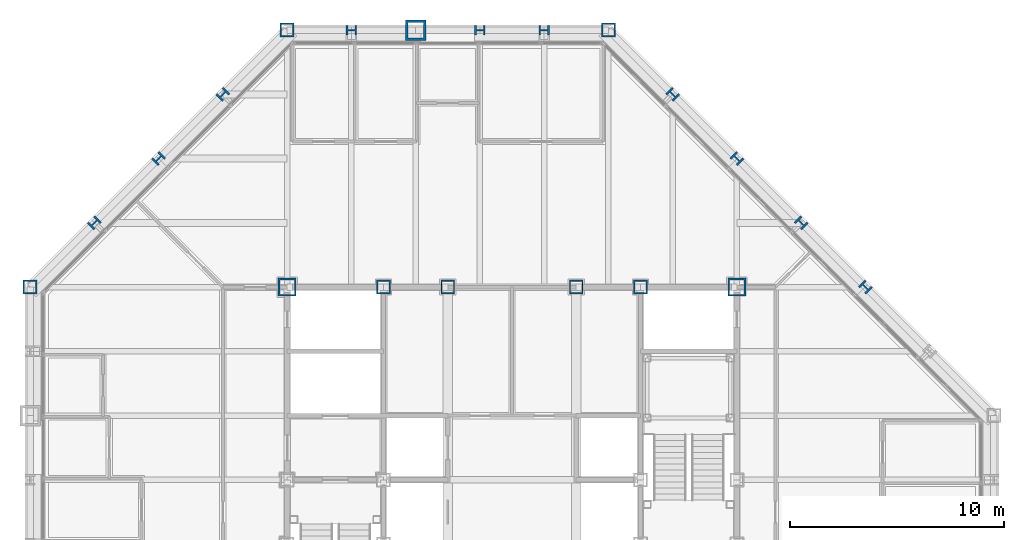
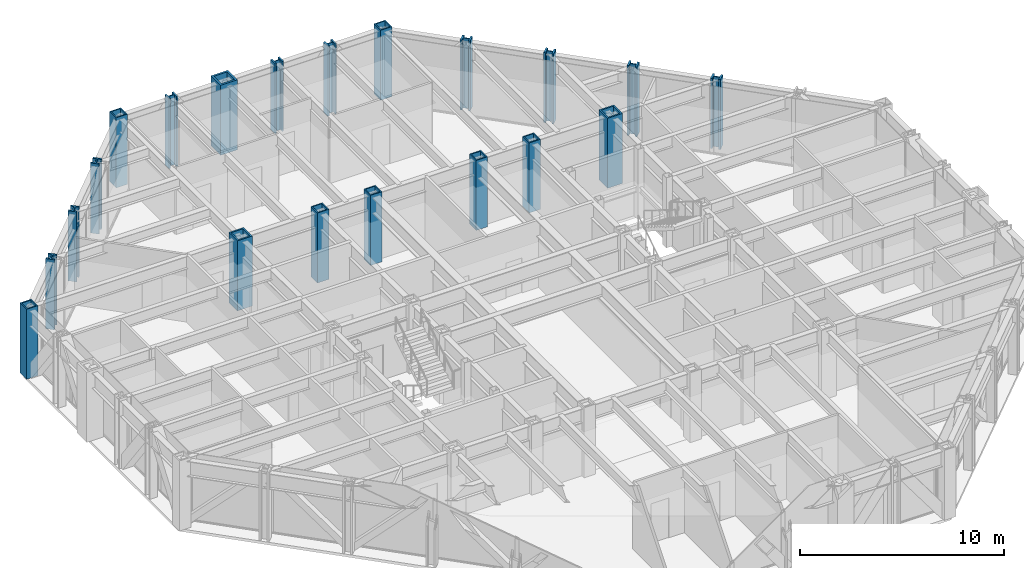
# One storey, part 3 of 15: 20 columns.
"""IFC4 building model written with IfcOpenShell, lengths in metres."""

import ifcopenshell
import ifcopenshell.guid

model = None  # the IFC model being written
_history = None  # IfcOwnerHistory: only IFC2X3 demands one
_inside = {}  # id of a spatial element -> (the spatial element, [elements in it])
_under = {}  # id of a project, library or spatial element -> (it, [spatial elements below it])
_declared = {}  # id of a project -> (the project, [libraries it declares])
_typed = {}  # id of a type object -> (the type object, [elements of that type])
_made_of = {}  # id of a material, layer set ... -> (it, [elements and type objects made of it])


def new_model(schema):
    """Start an empty IFC model of exactly this schema.

    Asked for "IFC4X3", IfcOpenShell would pick the latest addendum, in which some entities
    have other attributes; the version numbers below select the first issue.
    IFC2X3 requires an IfcOwnerHistory on every rooted entity: one is made here for all.
    """
    global model, _history
    if schema == "IFC4X3":
        model = ifcopenshell.file(schema_version=(4, 3, 0, 0))
    else:
        model = ifcopenshell.file(schema=schema)
    _inside.clear()
    _under.clear()
    _declared.clear()
    _typed.clear()
    _made_of.clear()
    _history = None
    if model.schema == "IFC2X3":
        org = make("IfcOrganization", Name="unknown")
        user = make(
            "IfcPersonAndOrganization",
            ThePerson=make("IfcPerson", FamilyName="unknown"),
            TheOrganization=org,
        )
        app = make(
            "IfcApplication",
            ApplicationDeveloper=org,
            Version="unknown",
            ApplicationFullName="unknown",
            ApplicationIdentifier="unknown",
        )
        _history = make(
            "IfcOwnerHistory",
            OwningUser=user,
            OwningApplication=app,
            ChangeAction="ADDED",
            CreationDate=0,
        )
    return model


def make(cls, **values):
    """One entity of the class cls with the attributes given. An attribute that is None is left unset."""
    return model.create_entity(
        cls, **{name: value for name, value in values.items() if value is not None}
    )


def rooted(cls, **values):
    """An entity with a GlobalId (a new one), such as an element, a storey or a relation."""
    return make(cls, GlobalId=ifcopenshell.guid.new(), OwnerHistory=_history, **values)


def si_unit(unit_type, name, prefix=None):
    """IfcSIUnit, for example si_unit("LENGTHUNIT", "METRE", prefix="MILLI")."""
    return make("IfcSIUnit", UnitType=unit_type, Prefix=prefix, Name=name)


def assignment(units):
    """IfcUnitAssignment: the units of a project."""
    return None if units is None else make("IfcUnitAssignment", Units=units)


def point(xyz):
    """IfcCartesianPoint."""
    return None if xyz is None else make("IfcCartesianPoint", Coordinates=xyz)


def direction(xyz):
    """IfcDirection."""
    return None if xyz is None else make("IfcDirection", DirectionRatios=xyz)


def frame(location, z_axis=None, x_axis=None):
    """IfcAxis2Placement3D, a coordinate frame: its origin and axes. An axis left out is left unset."""
    return make(
        "IfcAxis2Placement3D",
        Location=point(location),
        Axis=direction(z_axis),
        RefDirection=direction(x_axis),
    )


def frame_2d(location, x_axis=None):
    """IfcAxis2Placement2D, a coordinate frame in the plane: its origin and x axis."""
    return make(
        "IfcAxis2Placement2D", Location=point(location), RefDirection=direction(x_axis)
    )


def origin():
    """The frame at (0, 0, 0) with its axes left unset."""
    return frame((0.0, 0.0, 0.0))


def origin_2d():
    """The frame at (0, 0) in the plane with its x axis left unset."""
    return frame_2d((0.0, 0.0))


def place(relative_to, where):
    """IfcLocalPlacement: puts the frame where relative to a parent placement (None: the world)."""
    return make(
        "IfcLocalPlacement", PlacementRelTo=relative_to, RelativePlacement=where
    )


def context(
    kind, dimensions, precision=None, world=None, true_north=None, identifier=None
):
    """IfcGeometricRepresentationContext, for example the 3D "Model" context."""
    return make(
        "IfcGeometricRepresentationContext",
        ContextIdentifier=identifier,
        ContextType=kind,
        CoordinateSpaceDimension=dimensions,
        Precision=precision,
        WorldCoordinateSystem=world,
        TrueNorth=true_north,
    )


def subcontext(parent, identifier, kind, view, scale=None):
    """IfcGeometricRepresentationSubContext, for example "Body" below "Model"."""
    return make(
        "IfcGeometricRepresentationSubContext",
        ContextIdentifier=identifier,
        ContextType=kind,
        ParentContext=parent,
        TargetScale=scale,
        TargetView=view,
    )


def project(units=None, contexts=None):
    """IfcProject with its units and contexts."""
    return rooted(
        "IfcProject",
        Name="project",
        RepresentationContexts=contexts,
        UnitsInContext=assignment(units),
    )


def spatial(cls, under=None, at=None, **own):
    """A site, building, storey or space (cls), placed at a placement, below another one or the project."""
    s = rooted(cls, ObjectPlacement=at, **own)
    if under is not None:
        _under.setdefault(under.id(), (under, []))[1].append(s)
    return s


def profile(cls, at=None, kind="AREA", **sizes):
    """A parametric profile (cls). Its sizes go by their IFC names, for example OverallWidth=200.0."""
    return make(cls, ProfileType=kind, Position=at, **sizes)


def hollow_rectangle(**sizes):
    """IfcRectangleHollowProfileDef."""
    return profile("IfcRectangleHollowProfileDef", **sizes)


def i_section(**sizes):
    """IfcIShapeProfileDef."""
    return profile("IfcIShapeProfileDef", **sizes)


def extrude(swept, where, along, depth):
    """IfcExtrudedAreaSolid: the profile swept, set in the frame where, extruded along a direction by depth."""
    return make(
        "IfcExtrudedAreaSolid",
        SweptArea=swept,
        Position=where,
        ExtrudedDirection=direction(along),
        Depth=depth,
    )


def shape(context_of_items, identifier, shape_type, items):
    """IfcShapeRepresentation: the items that make up one representation, for example the "Body"."""
    return make(
        "IfcShapeRepresentation",
        ContextOfItems=context_of_items,
        RepresentationIdentifier=identifier,
        RepresentationType=shape_type,
        Items=items,
    )


def material(Name=None, Category=None):
    """IfcMaterial."""
    return make("IfcMaterial", Name=Name, Category=Category)


def material_profile(
    of_material, cross_section, Name=None, Category=None, Priority=None
):
    """IfcMaterialProfile: a cross section and its material."""
    return make(
        "IfcMaterialProfile",
        Name=Name,
        Material=of_material,
        Profile=cross_section,
        Priority=Priority,
        Category=Category,
    )


def profile_set(profiles, Name=None, composite=None):
    """IfcMaterialProfileSet."""
    return make(
        "IfcMaterialProfileSet",
        Name=Name,
        MaterialProfiles=profiles,
        CompositeProfile=composite,
    )


def made_of(thing, what):
    """Note that an element or type object is made of a material, layer set ...; save() writes the relation."""
    if what is not None:
        _made_of.setdefault(what.id(), (what, []))[1].append(thing)
    return thing


def type_object(cls, material=None, **own):
    """A type object (cls), such as IfcWallType, which elements share."""
    return made_of(rooted(cls, **own), material)


def element(
    cls,
    number,
    at=None,
    inside=None,
    cuts=None,
    type_object=None,
    material=None,
    context=None,
    identifier="Body",
    shape_type=None,
    held_by="IfcProductDefinitionShape",
    body=None,
    shapes=None,
    **own,
):
    """One element of the class cls, such as IfcWall. Its Tag is "e" and its number.

    at: its placement. inside: the storey or other place that contains it. cuts: it is an
    opening in that element (IfcRelVoidsElement). A single representation is given by context,
    identifier, shape_type and body (its items); several are given by shapes. held_by: the class
    of the entity that holds the representations. save() writes the other relations.
    """
    e = rooted(cls, Tag="e%d" % number, ObjectPlacement=at, **own)
    if body is not None:
        shapes = [shape(context, identifier, shape_type, body)]
    if shapes is not None:
        e.Representation = make(held_by, Representations=shapes)
    if inside is not None:
        _inside.setdefault(inside.id(), (inside, []))[1].append(e)
    if cuts is not None:
        rooted(
            "IfcRelVoidsElement", RelatingBuildingElement=cuts, RelatedOpeningElement=e
        )
    if type_object is not None:
        _typed.setdefault(type_object.id(), (type_object, []))[1].append(e)
    return made_of(e, material)


def aggregate(whole, parts):
    """IfcRelAggregates: a whole, such as a stair, and the parts it consists of."""
    return rooted("IfcRelAggregates", RelatingObject=whole, RelatedObjects=parts)


def save(model, path):
    """Write the relations noted so far, then the file.

    IfcRelAggregates (storeys below a building ...), IfcRelContainedInSpatialStructure (elements
    in a storey), IfcRelDefinesByType, IfcRelAssociatesMaterial and IfcRelDeclares: one each for
    every whole, place, type object, material and project.
    """
    for whole, parts in _under.values():
        aggregate(whole, parts)
    for where, things in _inside.values():
        rooted(
            "IfcRelContainedInSpatialStructure",
            RelatedElements=things,
            RelatingStructure=where,
        )
    for kind, things in _typed.values():
        rooted("IfcRelDefinesByType", RelatedObjects=things, RelatingType=kind)
    for what, things in _made_of.values():
        rooted("IfcRelAssociatesMaterial", RelatedObjects=things, RelatingMaterial=what)
    for by, libraries in _declared.values():
        rooted("IfcRelDeclares", RelatingContext=by, RelatedDefinitions=libraries)
    model.write(path)


model = new_model("IFC4")

# Units and contexts
model_context = context("Model", 3, precision=1e-05, world=origin(), true_north=direction((0.0, 1.0)))
body_context = subcontext(model_context, "Body", "Model", "MODEL_VIEW")
ifc_project = project(units=[si_unit("LENGTHUNIT", "METRE"), si_unit("AREAUNIT", "SQUARE_METRE"), si_unit("VOLUMEUNIT", "CUBIC_METRE"), si_unit("PLANEANGLEUNIT", "RADIAN"), si_unit("MASSUNIT", "GRAM", prefix="KILO")], contexts=[model_context])

# Site, building, storey
site_placement = place(None, origin())
site = spatial("IfcSite", under=ifc_project, at=site_placement, CompositionType="ELEMENT")
building_placement = place(site_placement, origin())
building = spatial("IfcBuilding", under=site, at=building_placement, Name="Chuquiago Exchange Tower", CompositionType="ELEMENT")
storey_placement = place(building_placement, frame((0.0, 0.0, 192.89990234375)))
storey = spatial("IfcBuildingStorey", under=building, at=storey_placement, Name="L42", CompositionType="ELEMENT", Elevation=192.89990234375)

# Columns
ifc_material_1 = material(Name="Steel ASTM A992", Category="steel")
ifc_material_profile_1 = material_profile(ifc_material_1, i_section(OverallWidth=0.431884765625, OverallDepth=0.497802734375, WebThickness=0.0556640625, FlangeThickness=0.0888671875, at=origin_2d()), Name="W14X500")
ifc_profile_set_1 = profile_set([ifc_material_profile_1], Name="Steel ASTM A992")
column_type_1 = type_object("IfcColumnType", Name="C4 W14X500", PredefinedType="COLUMN", material=ifc_profile_set_1)
for number, where, z_axis, x_axis, name in (
    (1, (24.0, 45.0, 0.0), (0.0, 0.0, 1.0), (0.0, 1.0, 0.0), "COL-L42-24_45"),
    (2, (21.0, 45.0, 0.0), (0.0, 0.0, 1.0), (0.0, 1.0, 0.0), "COL-L42-21_45"),
    (3, (15.0, 45.0, 0.0), (0.0, 0.0, 1.0), (0.0, 1.0, 0.0), "COL-L42-15_45"),
):
    element("IfcColumn", number, at=place(storey_placement, frame(where, z_axis=z_axis, x_axis=x_axis)), inside=storey, type_object=column_type_1, Name=name, PredefinedType="COLUMN", context=body_context, shape_type="SweptSolid", body=[
        extrude(i_section(OverallWidth=0.431884765625, OverallDepth=0.497802734375, WebThickness=0.0556640625, FlangeThickness=0.0888671875, at=origin_2d()), origin(), (0.0, 0.0, 1.0), 4.2001953125),
    ])
ifc_material_2 = material(Name="Steel ASTM A572 Grade 50", Category="steel")
ifc_material_profile_2 = material_profile(ifc_material_2, hollow_rectangle(XDim=0.64990234375, YDim=0.64990234375, WallThickness=0.06494140625, at=origin_2d()), Name="BOX650X650X65")
ifc_profile_set_2 = profile_set([ifc_material_profile_2], Name="Steel ASTM A572 Grade 50")
column_type_2 = type_object("IfcColumnType", Name="CC4 BOX650X650X65", PredefinedType="COLUMN", material=ifc_profile_set_2)
for number, where, z_axis, x_axis, name in (
    (4, (16.5, 33.0, 0.0), (0.0, 0.0, 1.0), (1.0, 0.0, 0.0), "CCOL-L42-16.5_33"),
    (5, (19.5, 33.0, 0.0), (0.0, 0.0, 1.0), (1.0, 0.0, 0.0), "CCOL-L42-19.5_33"),
    (6, (25.5, 33.0, 0.0), (0.0, 0.0, 1.0), (1.0, 0.0, 0.0), "CCOL-L42-25.5_33"),
    (7, (28.5, 33.0, 0.0), (0.0, 0.0, 1.0), (1.0, 0.0, 0.0), "CCOL-L42-28.5_33"),
):
    element("IfcColumn", number, at=place(storey_placement, frame(where, z_axis=z_axis, x_axis=x_axis)), inside=storey, type_object=column_type_2, Name=name, PredefinedType="COLUMN", context=body_context, shape_type="SweptSolid", body=[
        extrude(hollow_rectangle(XDim=0.64990234375, YDim=0.64990234375, WallThickness=0.06494140625, at=origin_2d()), origin(), (0.0, 0.0, 1.0), 4.2001953125),
    ])
ifc_material_3 = material(Name="Steel ASTM A572 Grade 50", Category="steel")
ifc_material_profile_3 = material_profile(ifc_material_3, hollow_rectangle(XDim=0.85009765625, YDim=0.85009765625, WallThickness=0.0849609375, at=origin_2d()), Name="BOX850X850X85")
ifc_profile_set_3 = profile_set([ifc_material_profile_3], Name="Steel ASTM A572 Grade 50")
column_type_3 = type_object("IfcColumnType", Name="CC6 BOX850X850X85", PredefinedType="COLUMN", material=ifc_profile_set_3)
for number, where, z_axis, x_axis, name in (
    (8, (12.0, 33.0, 0.0), (0.0, 0.0, 1.0), (1.0, 0.0, 0.0), "CCOL-L42-12_33"),
    (9, (33.0, 33.0, 0.0), (0.0, 0.0, 1.0), (1.0, 0.0, 0.0), "CCOL-L42-33_33"),
):
    element("IfcColumn", number, at=place(storey_placement, frame(where, z_axis=z_axis, x_axis=x_axis)), inside=storey, type_object=column_type_3, Name=name, PredefinedType="COLUMN", context=body_context, shape_type="SweptSolid", body=[
        extrude(hollow_rectangle(XDim=0.85009765625, YDim=0.85009765625, WallThickness=0.0849609375, at=origin_2d()), origin(), (0.0, 0.0, 1.0), 4.2001953125),
    ])
ifc_material_4 = material(Name="Steel ASTM A992", Category="steel")
ifc_material_profile_4 = material_profile(ifc_material_4, i_section(OverallWidth=0.436767578125, OverallDepth=0.51318359375, WebThickness=0.060546875, FlangeThickness=0.096923828125, at=origin_2d()), Name="W14X550")
ifc_profile_set_4 = profile_set([ifc_material_profile_4], Name="Steel ASTM A992")
column_type_4 = type_object("IfcColumnType", Name="CK4 W14X550", PredefinedType="COLUMN", material=ifc_profile_set_4)
for number, where, z_axis, x_axis, name in (
    (10, (39.0, 33.0, 0.0), (0.0, 0.0, 1.0), (0.707106781187, 0.707106781187, 0.0), "COL-L42-39_33"),
    (11, (36.0, 36.0, 0.0), (0.0, 0.0, 1.0), (0.707106781187, 0.707106781187, 0.0), "COL-L42-36_36"),
    (12, (33.0, 39.0, 0.0), (0.0, 0.0, 1.0), (0.707106781187, 0.707106781187, 0.0), "COL-L42-33_39"),
    (13, (30.0, 42.0, 0.0), (0.0, 0.0, 1.0), (0.707106781187, 0.707106781187, 0.0), "COL-L42-30_42"),
    (14, (9.0, 42.0, 0.0), (0.0, 0.0, 1.0), (-0.707106781187, 0.707106781187, 0.0), "COL-L42-9_42"),
    (15, (6.0, 39.0, 0.0), (0.0, 0.0, 1.0), (-0.707106781187, 0.707106781187, 0.0), "COL-L42-6_39"),
    (16, (3.0, 36.0, 0.0), (0.0, 0.0, 1.0), (-0.707106781187, 0.707106781187, 0.0), "COL-L42-3_36"),
):
    element("IfcColumn", number, at=place(storey_placement, frame(where, z_axis=z_axis, x_axis=x_axis)), inside=storey, type_object=column_type_4, Name=name, PredefinedType="COLUMN", context=body_context, shape_type="SweptSolid", body=[
        extrude(i_section(OverallWidth=0.436767578125, OverallDepth=0.51318359375, WebThickness=0.060546875, FlangeThickness=0.096923828125, at=origin_2d()), origin(), (0.0, 0.0, 1.0), 4.2001953125),
    ])
ifc_material_5 = material(Name="Steel ASTM A572 Grade 50", Category="steel")
ifc_material_profile_5 = material_profile(ifc_material_5, hollow_rectangle(XDim=0.64990234375, YDim=0.64990234375, WallThickness=0.06494140625, at=origin_2d()), Name="BOX650X650X65")
ifc_profile_set_5 = profile_set([ifc_material_profile_5], Name="Steel ASTM A572 Grade 50")
column_type_5 = type_object("IfcColumnType", Name="CN2 BOX650X650X65", PredefinedType="COLUMN", material=ifc_profile_set_5)
for number, where, z_axis, x_axis, name in (
    (17, (27.0, 45.0, 0.0), (0.0, 0.0, 1.0), (0.0, 1.0, 0.0), "COL-L42-27_45"),
    (18, (12.0, 45.0, 0.0), (0.0, 0.0, 1.0), (0.0, 1.0, 0.0), "COL-L42-12_45"),
    (19, (0.0, 33.0, 0.0), (0.0, 0.0, 1.0), (-1.0, 0.0, 0.0), "COL-L42-0_33"),
):
    element("IfcColumn", number, at=place(storey_placement, frame(where, z_axis=z_axis, x_axis=x_axis)), inside=storey, type_object=column_type_5, Name=name, PredefinedType="COLUMN", context=body_context, shape_type="SweptSolid", body=[
        extrude(hollow_rectangle(XDim=0.64990234375, YDim=0.64990234375, WallThickness=0.06494140625, at=origin_2d()), origin(), (0.0, 0.0, 1.0), 4.2001953125),
    ])
ifc_material_6 = material(Name="Steel ASTM A572 Grade 42", Category="steel")
ifc_material_profile_6 = material_profile(ifc_material_6, hollow_rectangle(XDim=0.949951171875, YDim=0.949951171875, WallThickness=0.110107421875, at=origin_2d()), Name="BOX950X950X110")
ifc_profile_set_6 = profile_set([ifc_material_profile_6], Name="Steel ASTM A572 Grade 42")
column_type_6 = type_object("IfcColumnType", Name="CT1 BOX950X950X110", PredefinedType="COLUMN", material=ifc_profile_set_6)
column_placement = place(storey_placement, frame((18.0, 45.0, 0.0), z_axis=(0.0, 0.0, 1.0), x_axis=(0.0, 1.0, 0.0)))
element("IfcColumn", 20, at=column_placement, inside=storey, type_object=column_type_6, Name="COL-L42-18_45", PredefinedType="COLUMN", context=body_context, shape_type="SweptSolid", body=[
    extrude(hollow_rectangle(XDim=0.949951171875, YDim=0.949951171875, WallThickness=0.110107421875, at=origin_2d()), origin(), (0.0, 0.0, 1.0), 4.2001953125),
])

save(model, "model.ifc")
